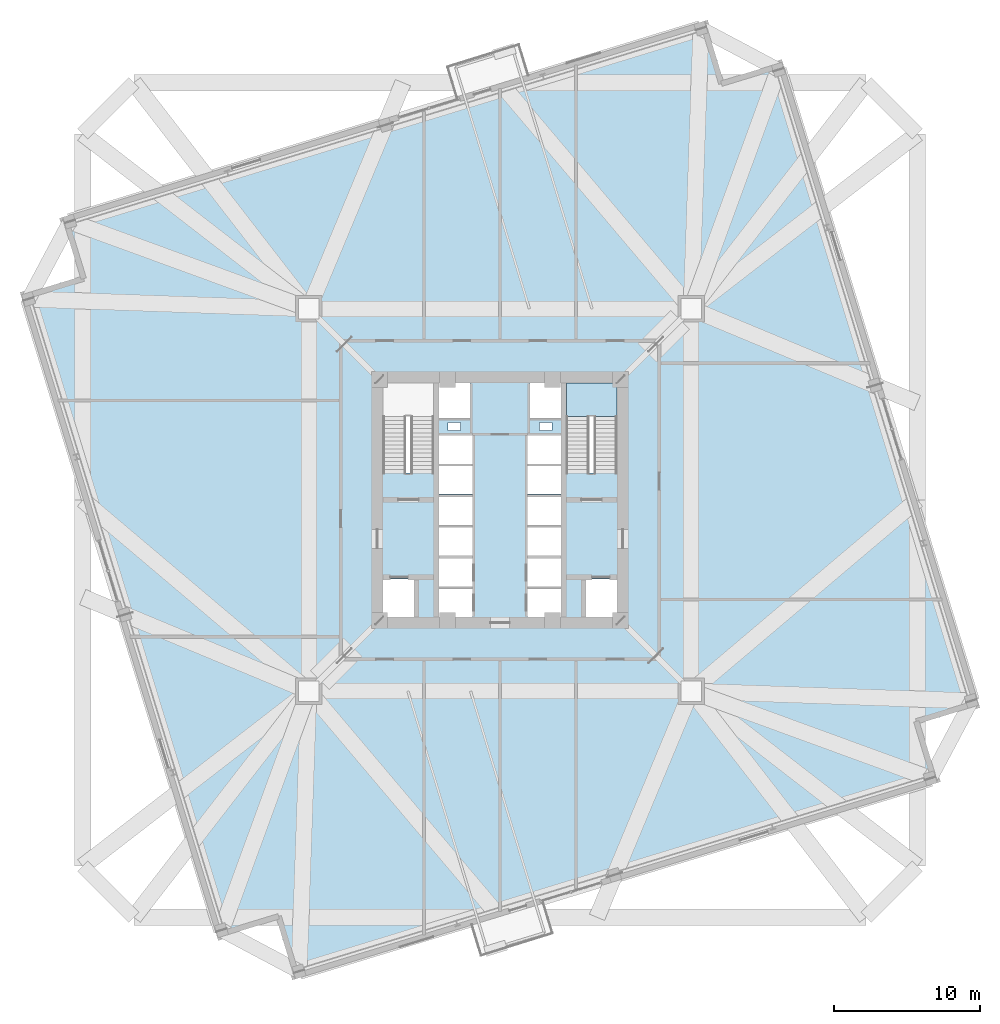
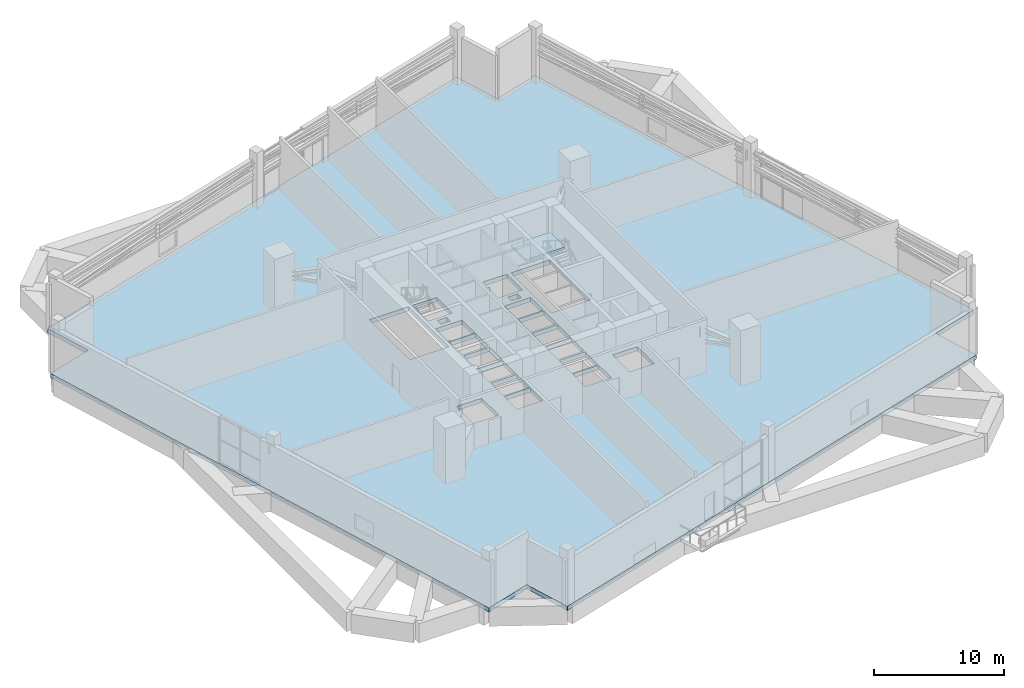
# One storey, part 15 of 22: 2 slabs, 1 element without a shape of its own.
"""IFC4 building model written with IfcOpenShell, lengths in metres."""

from ifc_helpers import new_model, si_unit, direction, frame, origin, place, context, subcontext, project, spatial, polyline, outline, extrude, material, layer, layer_set, type_object, element, aggregate, save


model = new_model("IFC4")

# Units and contexts
model_context = context("Model", 3, precision=1e-05, world=origin(), true_north=direction((0.0, 1.0)))
body_context = subcontext(model_context, "Body", "Model", "MODEL_VIEW")
ifc_project = project(units=[si_unit("LENGTHUNIT", "METRE"), si_unit("AREAUNIT", "SQUARE_METRE"), si_unit("VOLUMEUNIT", "CUBIC_METRE"), si_unit("PLANEANGLEUNIT", "RADIAN"), si_unit("MASSUNIT", "GRAM", prefix="KILO"), si_unit("THERMODYNAMICTEMPERATUREUNIT", "KELVIN")], contexts=[model_context])

# Site, building, storey
site_placement = place(None, origin())
site = spatial("IfcSite", under=ifc_project, at=site_placement, CompositionType="ELEMENT")
building_placement = place(site_placement, origin())
building = spatial("IfcBuilding", under=site, at=building_placement, Name="Kosmvard Interchange Tower", CompositionType="ELEMENT")
storey_placement = place(building_placement, frame((0.0, 0.0, 78.0)))
storey = spatial("IfcBuildingStorey", under=building, at=storey_placement, Name="L18", CompositionType="ELEMENT", Elevation=78.0)

# Slab
ifc_material_1 = material(Name="Concrete C60/75", Category="concrete")
ifc_layer_1 = layer(ifc_material_1, 0.39990234375, Name="Concrete C60/75")
ifc_layer_set_1 = layer_set([ifc_layer_1], Name="Concrete C60/75")
slab_type_1 = type_object("IfcSlabType", Name="Concourse & Transfer Structural Slab 400 C60/75", PredefinedType="FLOOR", material=ifc_layer_set_1)
slab_1_placement = place(storey_placement, frame((0.0, 0.0, -0.39990234375)))
element("IfcSlab", 1, at=slab_1_placement, inside=storey, type_object=slab_type_1, Name="L18 Structural Floor Slab", PredefinedType="FLOOR", context=body_context, shape_type="SweptSolid", body=[
    extrude(outline(polyline([(-14.02783203125, -32.783935546875), (29.962158203125, -19.334716796875), (28.719482421875, -15.2705078125), (32.783935546875, -14.02783203125), (19.334716796875, 29.962158203125), (15.2705078125, 28.719482421875), (14.02783203125, 32.783935546875), (-29.962158203125, 19.334716796875), (-28.719482421875, 15.2705078125), (-32.783935546875, 14.02783203125), (-19.334716796875, -29.962158203125), (-15.2705078125, -28.719482421875), (-14.02783203125, -32.783935546875)]), holes=[polyline([(-8.0, 1.8349609375), (-4.5400390625, 1.8349609375), (-4.5400390625, 8.0), (-8.0, 8.0), (-8.0, 1.8349609375)]), polyline([(4.5400390625, 1.8349609375), (8.0, 1.8349609375), (8.0, 8.0), (4.5400390625, 8.0), (4.5400390625, 1.8349609375)]), polyline([(-8.0, -8.0), (-5.800048828125, -8.0), (-5.800048828125, -5.39990234375), (-8.0, -5.39990234375), (-8.0, -8.0)]), polyline([(5.800048828125, -8.0), (8.0, -8.0), (8.0, -5.39990234375), (5.800048828125, -5.39990234375), (5.800048828125, -8.0)]), polyline([(-4.179931640625, -8.0), (-1.8798828125, -8.0), (-1.8798828125, -6.06005859375), (-4.179931640625, -6.06005859375), (-4.179931640625, -8.0)]), polyline([(-4.179931640625, -5.93994140625), (-1.8798828125, -5.93994140625), (-1.8798828125, -4.0), (-4.179931640625, -4.0), (-4.179931640625, -5.93994140625)]), polyline([(1.8798828125, -8.0), (4.179931640625, -8.0), (4.179931640625, -6.06005859375), (1.8798828125, -6.06005859375), (1.8798828125, -8.0)]), polyline([(1.8798828125, -5.93994140625), (4.179931640625, -5.93994140625), (4.179931640625, -4.0), (1.8798828125, -4.0), (1.8798828125, -5.93994140625)]), polyline([(-4.179931640625, -3.800048828125), (-1.8798828125, -3.800048828125), (-1.8798828125, -1.860107421875), (-4.179931640625, -1.860107421875), (-4.179931640625, -3.800048828125)]), polyline([(-4.179931640625, -1.739990234375), (-1.8798828125, -1.739990234375), (-1.8798828125, 0.199951171875), (-4.179931640625, 0.199951171875), (-4.179931640625, -1.739990234375)]), polyline([(1.8798828125, -3.800048828125), (4.179931640625, -3.800048828125), (4.179931640625, -1.860107421875), (1.8798828125, -1.860107421875), (1.8798828125, -3.800048828125)]), polyline([(1.8798828125, -1.739990234375), (4.179931640625, -1.739990234375), (4.179931640625, 0.199951171875), (1.8798828125, 0.199951171875), (1.8798828125, -1.739990234375)]), polyline([(-4.179931640625, 0.39990234375), (-1.8798828125, 0.39990234375), (-1.8798828125, 2.340087890625), (-4.179931640625, 2.340087890625), (-4.179931640625, 0.39990234375)]), polyline([(-4.179931640625, 2.4599609375), (-1.8798828125, 2.4599609375), (-1.8798828125, 4.39990234375), (-4.179931640625, 4.39990234375), (-4.179931640625, 2.4599609375)]), polyline([(1.8798828125, 0.39990234375), (4.179931640625, 0.39990234375), (4.179931640625, 2.340087890625), (1.8798828125, 2.340087890625), (1.8798828125, 0.39990234375)]), polyline([(1.8798828125, 2.4599609375), (4.179931640625, 2.4599609375), (4.179931640625, 4.39990234375), (1.8798828125, 4.39990234375), (1.8798828125, 2.4599609375)]), polyline([(-4.179931640625, 5.60009765625), (-2.0400390625, 5.60009765625), (-2.0400390625, 8.0), (-4.179931640625, 8.0), (-4.179931640625, 5.60009765625)]), polyline([(2.0400390625, 5.60009765625), (4.179931640625, 5.60009765625), (4.179931640625, 8.0), (2.0400390625, 8.0), (2.0400390625, 5.60009765625)]), polyline([(-3.56494140625, 4.739990234375), (-2.715087890625, 4.739990234375), (-2.715087890625, 5.2900390625), (-3.56494140625, 5.2900390625), (-3.56494140625, 4.739990234375)]), polyline([(2.715087890625, 4.739990234375), (3.56494140625, 4.739990234375), (3.56494140625, 5.2900390625), (2.715087890625, 5.2900390625), (2.715087890625, 4.739990234375)])]), origin(), (0.0, 0.0, 1.0), 0.39990234375),
])

# Stair, slab
ifc_material_2 = material(Name="Concrete C50/60", Category="concrete")
stair_type = type_object("IfcStairType", Name="Dog-Leg Core Exit Stair H5200 C50/60", PredefinedType="HALF_TURN_STAIR", material=ifc_material_2)
stair_placement = place(storey_placement, origin())
stair = element("IfcStair", 2, at=stair_placement, inside=storey, type_object=stair_type, Name="L18 Protected Exit Stair ST-2", PredefinedType="HALF_TURN_STAIR")
ifc_layer_2 = layer(ifc_material_2, 0.199951171875, Name="Concrete C50/60")
ifc_layer_set_2 = layer_set([ifc_layer_2], Name="Concrete C50/60")
slab_type_2 = type_object("IfcSlabType", Name="Stair Half-Landing Slab 200 C50/60", PredefinedType="LANDING", material=ifc_layer_set_2)
slab_2_placement = place(storey_placement, frame((0.0, 0.0, 2.39990234375)))
slab_2 = element("IfcSlab", 3, at=slab_2_placement, type_object=slab_type_2, Name="ST-2 landing 1", PredefinedType="LANDING", context=body_context, shape_type="SweptSolid", body=[
    extrude(outline(polyline([(8.0, 5.719970703125), (8.0, 8.0), (4.5400390625, 8.0), (4.5400390625, 5.719970703125), (8.0, 5.719970703125)])), origin(), (0.0, 0.0, 1.0), 0.2001953125),
])
aggregate(stair, [slab_2])

save(model, "model.ifc")
